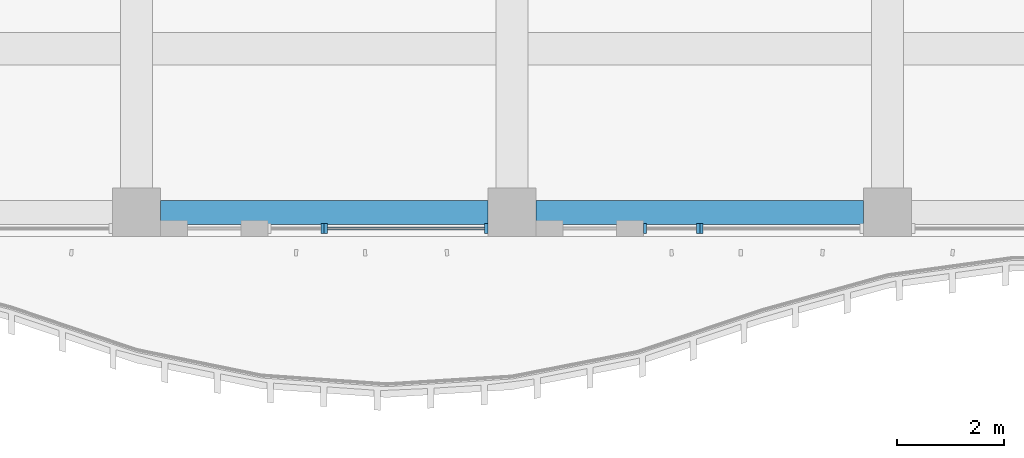
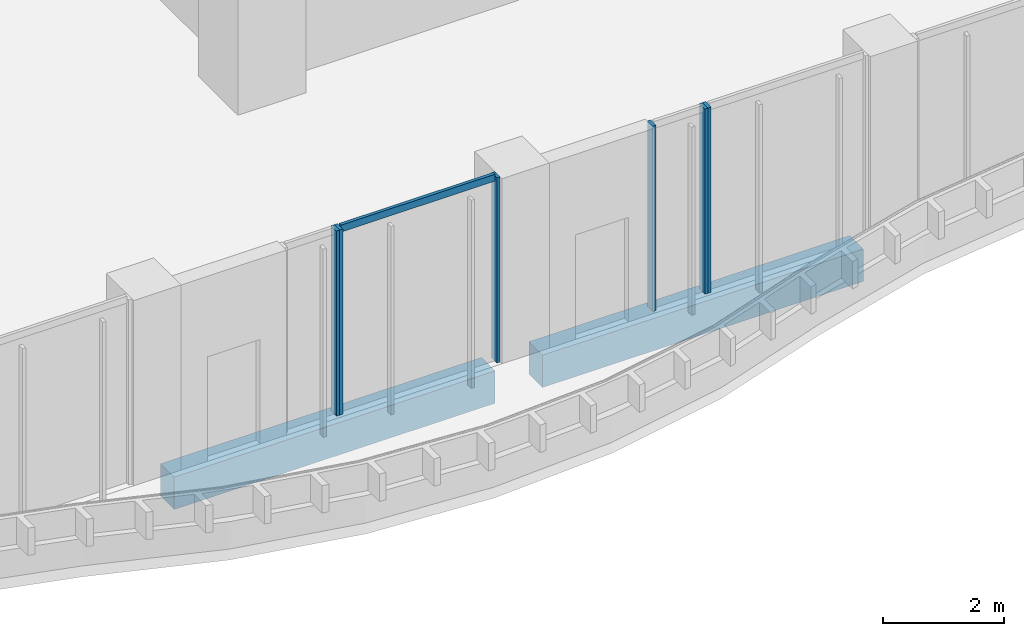
# One storey, part 3 of 29: 7 members, 2 beams, 4 elements without a shape of their own.
"""IFC4 building model written with IfcOpenShell, lengths in metres."""

from ifc_helpers import new_model, si_unit, direction, frame, origin, origin_2d, place, context, subcontext, project, spatial, rectangle, extrude, source, transform, mapped, material, material_profile, profile_set, type_object, element, aggregate, save


model = new_model("IFC4")

# Units and contexts
model_context = context("Model", 3, precision=1e-05, world=origin(), true_north=direction((0.0, 1.0)))
body_context = subcontext(model_context, "Body", "Model", "MODEL_VIEW")
ifc_project = project(units=[si_unit("LENGTHUNIT", "METRE"), si_unit("AREAUNIT", "SQUARE_METRE"), si_unit("VOLUMEUNIT", "CUBIC_METRE"), si_unit("PLANEANGLEUNIT", "RADIAN"), si_unit("MASSUNIT", "GRAM", prefix="KILO")], contexts=[model_context])

# Site, building, storey
site_placement = place(None, origin())
site = spatial("IfcSite", under=ifc_project, at=site_placement, CompositionType="ELEMENT")
building_placement = place(site_placement, origin())
building = spatial("IfcBuilding", under=site, at=building_placement, Name="Kilnfold Tower and Market Hall", CompositionType="ELEMENT")
storey_placement = place(building_placement, frame((0.0, 0.0, 27.0)))
storey = spatial("IfcBuildingStorey", under=building, at=storey_placement, Name="L05", CompositionType="ELEMENT", Elevation=27.0)

# Beams
ifc_material_1 = material(Name="Concrete C45", Category="concrete")
ifc_material_profile_1 = material_profile(ifc_material_1, rectangle(XDim=0.449951171875, YDim=0.64990234375, at=origin_2d()), Name="RC 450x650")
ifc_profile_set_1 = profile_set([ifc_material_profile_1], Name="Concrete C45")
beam_type = type_object("IfcBeamType", Name="EDGE BEAM 450X650 C45", PredefinedType="BEAM", material=ifc_profile_set_1)
shared_shape_1 = source(origin(), body_context, "Body", "SweptSolid", [
    extrude(rectangle(XDim=0.449951171875, YDim=0.64990234375, at=origin_2d()), origin(), (0.0, 0.0, 1.0), 6.10009765625),
])
for number, where, z_axis, x_axis, name in (
    (1, (-3.050048828125, -27.550048828125, -0.60498046875), (1.0, 0.0, 0.0), (0.0, 1.0, 0.0), "Beam EB650-B1.3"),
    (2, (3.949951171875, -27.550048828125, -0.60498046875), (1.0, 0.0, 0.0), (0.0, 1.0, 0.0), "Beam EB650-B1.4"),
):
    element("IfcBeam", number, at=place(storey_placement, frame(where, z_axis=z_axis, x_axis=x_axis)), inside=storey, type_object=beam_type, Name=name, PredefinedType="BEAM", context=body_context, shape_type="MappedRepresentation", body=[
        mapped(shared_shape_1, transform((0.0, 0.0, 0.0))),
    ])

# Curtain wall, member
ifc_material_2 = material(Name="Aluminium and double glazing", Category="aluminium")
curtain_wall_type = type_object("IfcCurtainWallType", Name="CW OF1 VALLEY GLAZING", PredefinedType="NOTDEFINED", material=ifc_material_2)
curtain_wall_1_placement = place(storey_placement, origin())
curtain_wall_1 = element("IfcCurtainWall", 3, at=curtain_wall_1_placement, inside=storey, type_object=curtain_wall_type, Name="Curtain wall CW1 L05 S", PredefinedType="NOTDEFINED")
ifc_material_3 = material(Name="Aluminium", Category="aluminium")
ifc_material_profile_2 = material_profile(ifc_material_3, rectangle(XDim=0.06005859375, YDim=0.179931640625, at=origin_2d()), Name="MULLION 60x180")
ifc_profile_set_2 = profile_set([ifc_material_profile_2], Name="Aluminium")
member_type_1 = type_object("IfcMemberType", Name="MULLION 60X180", PredefinedType="MULLION", material=ifc_profile_set_2)
shared_shape_2 = source(origin(), body_context, "Body", "SweptSolid", [
    extrude(rectangle(XDim=0.06005859375, YDim=0.179931640625, at=origin_2d()), origin(), (0.0, 0.0, 1.0), 3.719970703125),
])
member_1_placement = place(storey_placement, frame((-0.030029296875, -27.85009765625, 0.0), z_axis=(0.0, 0.0, 1.0), x_axis=(1.0, 0.0, 0.0)))
member_1 = element("IfcMember", 4, at=member_1_placement, type_object=member_type_1, Name="CW1 mullion 2", PredefinedType="MULLION", context=body_context, shape_type="MappedRepresentation", body=[
    mapped(shared_shape_2, transform((0.0, 0.0, 0.0))),
])
aggregate(curtain_wall_1, [member_1])

# Curtain wall, members
curtain_wall_2_placement = place(storey_placement, origin())
curtain_wall_2 = element("IfcCurtainWall", 5, at=curtain_wall_2_placement, inside=storey, type_object=curtain_wall_type, Name="Curtain wall CW1 L05 S", PredefinedType="NOTDEFINED")
member_2_placement = place(storey_placement, frame((0.030029296875, -27.85009765625, 0.0), z_axis=(0.0, 0.0, 1.0), x_axis=(1.0, 0.0, 0.0)))
member_2 = element("IfcMember", 6, at=member_2_placement, type_object=member_type_1, Name="CW1 mullion 1", PredefinedType="MULLION", context=body_context, shape_type="MappedRepresentation", body=[
    mapped(shared_shape_2, transform((0.0, 0.0, 0.0))),
])
member_3_placement = place(storey_placement, frame((3.02001953125, -27.85009765625, 0.0), z_axis=(0.0, 0.0, 1.0), x_axis=(1.0, 0.0, 0.0)))
member_3 = element("IfcMember", 7, at=member_3_placement, type_object=member_type_1, Name="CW1 mullion 2", PredefinedType="MULLION", context=body_context, shape_type="MappedRepresentation", body=[
    mapped(shared_shape_2, transform((0.0, 0.0, 0.0))),
])

curtain_wall_3_placement = place(storey_placement, origin())
curtain_wall_3 = element("IfcCurtainWall", 8, at=curtain_wall_3_placement, inside=storey, type_object=curtain_wall_type, Name="Curtain wall CW1 L05 S", PredefinedType="NOTDEFINED")
member_4_placement = place(storey_placement, frame((5.97998046875, -27.85009765625, 0.0), z_axis=(0.0, 0.0, 1.0), x_axis=(1.0, 0.0, 0.0)))
member_4 = element("IfcMember", 9, at=member_4_placement, type_object=member_type_1, Name="CW1 mullion 1", PredefinedType="MULLION", context=body_context, shape_type="MappedRepresentation", body=[
    mapped(shared_shape_2, transform((0.0, 0.0, 0.0))),
])
member_5_placement = place(storey_placement, frame((6.969970703125, -27.85009765625, 0.0), z_axis=(0.0, 0.0, 1.0), x_axis=(1.0, 0.0, 0.0)))
member_5 = element("IfcMember", 10, at=member_5_placement, type_object=member_type_1, Name="CW1 mullion 2", PredefinedType="MULLION", context=body_context, shape_type="MappedRepresentation", body=[
    mapped(shared_shape_2, transform((0.0, 0.0, 0.0))),
])
aggregate(curtain_wall_3, [member_4, member_5])

# Curtain wall, member
curtain_wall_4_placement = place(storey_placement, origin())
curtain_wall_4 = element("IfcCurtainWall", 11, at=curtain_wall_4_placement, inside=storey, type_object=curtain_wall_type, Name="Curtain wall CW1 L05 S", PredefinedType="NOTDEFINED")
member_6_placement = place(storey_placement, frame((7.030029296875, -27.85009765625, 0.0), z_axis=(0.0, 0.0, 1.0), x_axis=(1.0, 0.0, 0.0)))
member_6 = element("IfcMember", 12, at=member_6_placement, type_object=member_type_1, Name="CW1 mullion 1", PredefinedType="MULLION", context=body_context, shape_type="MappedRepresentation", body=[
    mapped(shared_shape_2, transform((0.0, 0.0, 0.0))),
])
aggregate(curtain_wall_4, [member_6])

# Member
ifc_material_4 = material(Name="Aluminium", Category="aluminium")
ifc_material_profile_3 = material_profile(ifc_material_4, rectangle(XDim=0.06005859375, YDim=0.139892578125, at=origin_2d()), Name="TRANSOM 60x140")
ifc_profile_set_3 = profile_set([ifc_material_profile_3], Name="Aluminium")
member_type_2 = type_object("IfcMemberType", Name="TRANSOM 60X140", PredefinedType="USERDEFINED", material=ifc_profile_set_3)
shared_shape_3 = source(origin(), body_context, "Body", "SweptSolid", [
    extrude(rectangle(XDim=0.06005859375, YDim=0.139892578125, at=origin_2d()), origin(), (0.0, 0.0, 1.0), 2.929931640625),
])
member_7_placement = place(storey_placement, frame((0.06005859375, -27.85009765625, 3.68994140625), z_axis=(1.0, 0.0, 0.0), x_axis=(0.0, 1.0, 0.0)))
member_7 = element("IfcMember", 13, at=member_7_placement, type_object=member_type_2, Name="CW1 transom 1.2", ObjectType="TRANSOM", PredefinedType="USERDEFINED", context=body_context, shape_type="MappedRepresentation", body=[
    mapped(shared_shape_3, transform((0.0, 0.0, 0.0))),
])

aggregate(curtain_wall_2, [member_2, member_3, member_7])

save(model, "model.ifc")
